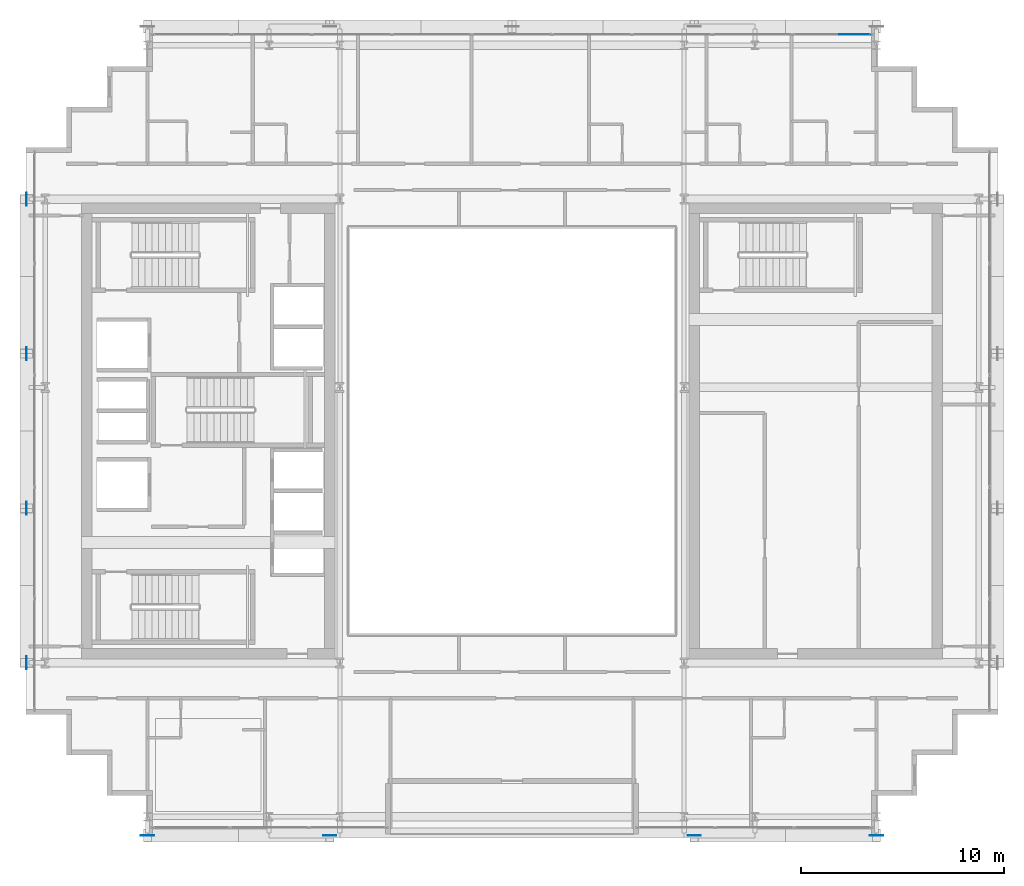
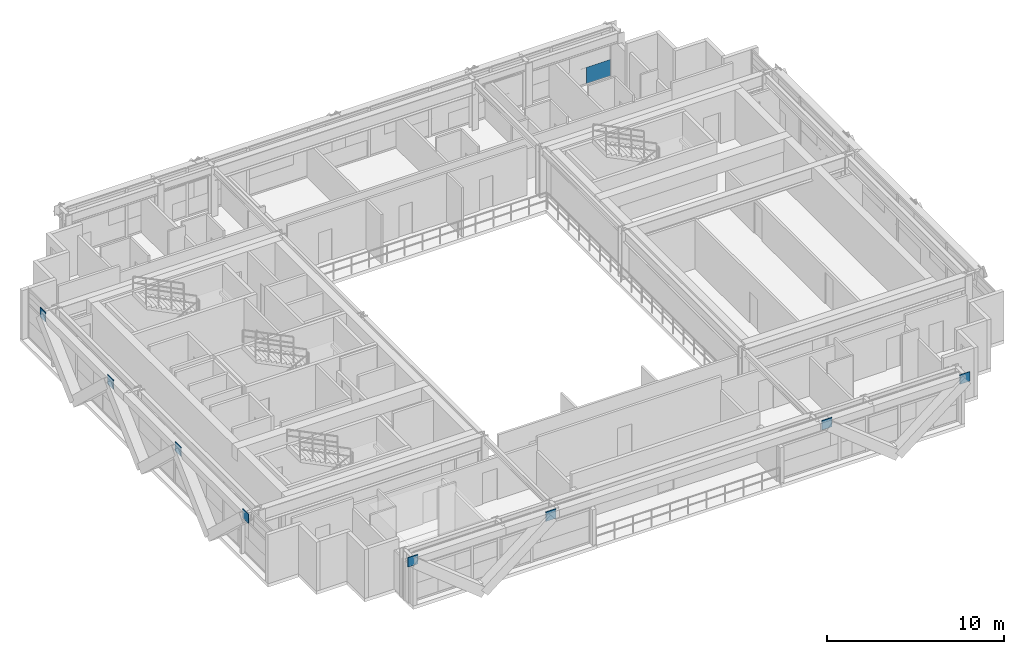
# One storey, part 22 of 32: 9 plates, 1 element without a shape of its own.
"""IFC4 building model written with IfcOpenShell, lengths in metres."""

from ifc_helpers import new_model, si_unit, direction, frame, origin, origin_2d, place, context, subcontext, project, spatial, rectangle, extrude, source, transform, mapped, material, layer, layer_set, type_object, element, aggregate, save


model = new_model("IFC4")

# Units and contexts
model_context = context("Model", 3, precision=1e-05, world=origin(), true_north=direction((0.0, 1.0)))
body_context = subcontext(model_context, "Body", "Model", "MODEL_VIEW")
ifc_project = project(units=[si_unit("LENGTHUNIT", "METRE"), si_unit("AREAUNIT", "SQUARE_METRE"), si_unit("VOLUMEUNIT", "CUBIC_METRE"), si_unit("PLANEANGLEUNIT", "RADIAN"), si_unit("MASSUNIT", "GRAM", prefix="KILO")], contexts=[model_context])

# Site, building, storey
site_placement = place(None, origin())
site = spatial("IfcSite", under=ifc_project, at=site_placement, CompositionType="ELEMENT")
building_placement = place(site_placement, origin())
building = spatial("IfcBuilding", under=site, at=building_placement, Name="Ocotamira Hotel", CompositionType="ELEMENT")
storey_placement = place(building_placement, frame((0.0, 0.0, 184.800048828125)))
storey = spatial("IfcBuildingStorey", under=building, at=storey_placement, Name="L46", CompositionType="ELEMENT", Elevation=184.800048828125)

# Plates
ifc_material_1 = material(Name="Pale-metal coated steel ASTM A572 Grade 50", Category="steel")
ifc_layer_1 = layer(ifc_material_1, 0.0400390625)
ifc_layer_set_1 = layer_set([ifc_layer_1], Name="Pale-metal coated steel ASTM A572 Grade 50")
plate_type_1 = type_object("IfcPlateType", Name="PLT-GUSSET-40", PredefinedType="SHEET", material=ifc_layer_set_1)
shared_shape_1 = source(origin(), body_context, "Body", "SweptSolid", [
    extrude(rectangle(XDim=0.64990234375, YDim=0.0400390625, at=origin_2d()), origin(), (0.0, 0.0, 1.0), 0.64990234375),
])
for number, where, z_axis, x_axis, name in (
    (1, (14.0, 6.030029296875, 2.794921875), (0.0, 0.0, 1.0), (-1.0, 0.0, 0.0), "L46 Exoskeleton Diagrid S0.1 End Gusset B"),
    (2, (23.0, 6.030029296875, 2.794921875), (0.0, 0.0, 1.0), (1.0, 0.0, 0.0), "L46 Exoskeleton Diagrid S0.2 End Gusset B"),
    (3, (41.0, 6.030029296875, 2.794921875), (0.0, 0.0, 1.0), (-1.0, 0.0, 0.0), "L46 Exoskeleton Diagrid S3.1 End Gusset B"),
    (4, (50.0, 6.030029296875, 2.794921875), (0.0, 0.0, 1.0), (1.0, 0.0, 0.0), "L46 Exoskeleton Diagrid S3.2 End Gusset B"),
):
    element("IfcPlate", number, at=place(storey_placement, frame(where, z_axis=z_axis, x_axis=x_axis)), inside=storey, type_object=plate_type_1, Name=name, PredefinedType="SHEET", context=body_context, shape_type="MappedRepresentation", body=[
        mapped(shared_shape_1, transform((0.0, 0.0, 0.0), scale=1.0)),
    ])
shared_shape_2 = source(origin(), body_context, "Body", "SweptSolid", [
    extrude(rectangle(XDim=0.0400390625, YDim=0.64990234375, at=origin_2d()), origin(), (0.0, 0.0, 1.0), 0.64990234375),
])
for number, where, z_axis, x_axis, name in (
    (5, (8.030029296875, 14.550048828125, 2.794921875), (0.0, 0.0, 1.0), (1.0, 0.0, 0.0), "L46 Exoskeleton Diagrid W0.1 End Gusset B"),
    (6, (8.030029296875, 22.183349609375, 2.794921875), (0.0, 0.0, 1.0), (1.0, 0.0, 0.0), "L46 Exoskeleton Diagrid W0.2 End Gusset B"),
    (7, (8.030029296875, 29.816650390625, 2.794921875), (0.0, 0.0, 1.0), (1.0, 0.0, 0.0), "L46 Exoskeleton Diagrid W1.2 End Gusset B"),
    (8, (8.030029296875, 37.449951171875, 2.794921875), (0.0, 0.0, 1.0), (1.0, 0.0, 0.0), "L46 Exoskeleton Diagrid W2.2 End Gusset B"),
):
    element("IfcPlate", number, at=place(storey_placement, frame(where, z_axis=z_axis, x_axis=x_axis)), inside=storey, type_object=plate_type_1, Name=name, PredefinedType="SHEET", context=body_context, shape_type="MappedRepresentation", body=[
        mapped(shared_shape_2, transform((0.0, 0.0, 0.0), scale=1.0)),
    ])

# Curtain wall, plate
ifc_material_2 = material(Name="Anodised pale-metal aluminium and solar glass", Category="aluminium")
ifc_layer_2 = layer(ifc_material_2, 0.199951171875)
ifc_layer_set_2 = layer_set([ifc_layer_2], Name="Anodised pale-metal aluminium and solar glass")
curtain_wall_type = type_object("IfcCurtainWallType", Name="CW-SYS4-Z3", PredefinedType="NOTDEFINED", material=ifc_layer_set_2)
curtain_wall_placement = place(storey_placement, origin())
curtain_wall = element("IfcCurtainWall", 9, at=curtain_wall_placement, inside=storey, type_object=curtain_wall_type, Name="L46 Curtain Wall CW-4 CW-L46-N", PredefinedType="NOTDEFINED")
ifc_material_3 = material(Name="Double-silver low-E insulated solar glass", Category="glass")
ifc_layer_3 = layer(ifc_material_3, 0.031982421875)
ifc_layer_set_3 = layer_set([ifc_layer_3], Name="Double-silver low-E insulated solar glass")
plate_type_2 = type_object("IfcPlateType", Name="CWP-VISION-32", PredefinedType="CURTAIN_PANEL", material=ifc_layer_set_3)
shared_shape_3 = source(origin(), body_context, "Body", "SweptSolid", [
    extrude(rectangle(XDim=1.5673828125, YDim=0.031982421875, at=origin_2d()), origin(), (0.0, 0.0, 1.0), 1.118896484375),
])
plate_placement = place(storey_placement, frame((48.936279296875, 45.580078125, 0.07470703125), z_axis=(0.0, 0.0, 1.0), x_axis=(1.0, 0.0, 0.0)))
plate = element("IfcPlate", 10, at=plate_placement, type_object=plate_type_2, Name="CW-4 panel 9.1.2", PredefinedType="CURTAIN_PANEL", context=body_context, shape_type="MappedRepresentation", body=[
    mapped(shared_shape_3, transform((0.0, 0.0, 0.0), scale=1.0)),
])
aggregate(curtain_wall, [plate])

save(model, "model.ifc")
